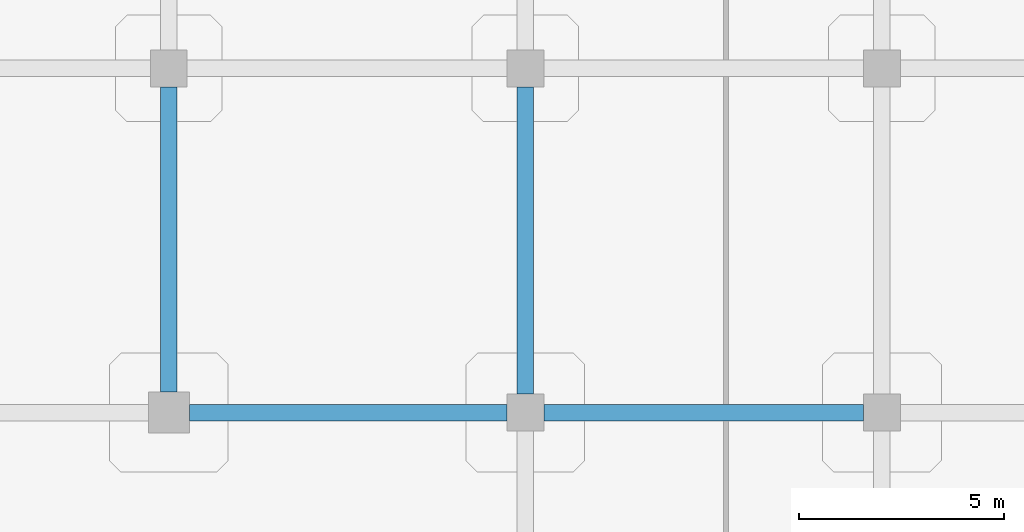
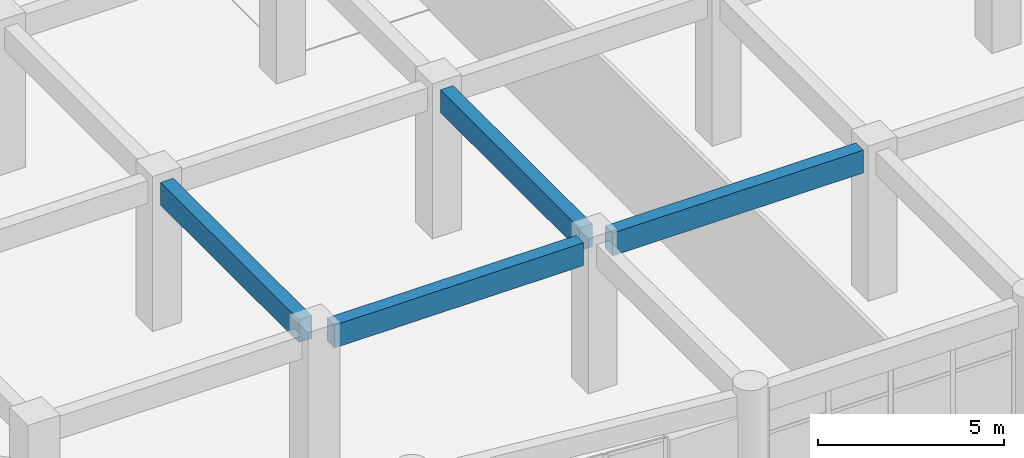
# One storey, part 7 of 120: 4 beams.
"""IFC4 building model written with IfcOpenShell, lengths in metres."""

from ifc_helpers import new_model, si_unit, derived_unit, direction, frame, origin, origin_2d, place, context, subcontext, project, spatial, rectangle, extrude, material, material_profile, profile_set, type_object, element, save


model = new_model("IFC4")

# Units and contexts
model_context = context("Model", 3, precision=1e-05, world=origin(), true_north=direction((0.0, 1.0)))
body_context = subcontext(model_context, "Body", "Model", "MODEL_VIEW")
ifc_project = project(units=[si_unit("LENGTHUNIT", "METRE"), si_unit("AREAUNIT", "SQUARE_METRE"), si_unit("VOLUMEUNIT", "CUBIC_METRE"), si_unit("PLANEANGLEUNIT", "RADIAN"), si_unit("MASSUNIT", "GRAM", prefix="KILO"), derived_unit("THERMALTRANSMITTANCEUNIT", [(si_unit("MASSUNIT", "GRAM", prefix="KILO"), 1), (si_unit("TIMEUNIT", "SECOND"), -3), (si_unit("THERMODYNAMICTEMPERATUREUNIT", "KELVIN"), -1)])], contexts=[model_context])

# Site, building, storey
site_placement = place(None, origin())
site = spatial("IfcSite", under=ifc_project, at=site_placement, CompositionType="ELEMENT")
building_placement = place(site_placement, origin())
building = spatial("IfcBuilding", under=site, at=building_placement, Name="Qinzheling Arcade Emporium", CompositionType="ELEMENT")
storey_placement = place(building_placement, frame((0.0, 0.0, 11.39990234375)))
storey = spatial("IfcBuildingStorey", under=building, at=storey_placement, Name="L03", CompositionType="ELEMENT", Elevation=11.39990234375)

# Beams
ifc_material = material(Name="Concrete C40", Category="concrete")
ifc_material_profile = material_profile(ifc_material, rectangle(XDim=0.39990234375, YDim=0.75, at=origin_2d()), Name="RC 400x750", Category="concrete")
ifc_profile_set = profile_set([ifc_material_profile], Name="Concrete C40")
beam_type = type_object("IfcBeamType", Name="RC Interior Tie Beam 400x750 C40", PredefinedType="BEAM", material=ifc_profile_set)
beam_1_placement = place(storey_placement, frame((17.89990234375, 8.39990234375, 4.445068359375), z_axis=(1.0, 0.0, 0.0), x_axis=(0.0, 1.0, 0.0)))
element("IfcBeam", 1, at=beam_1_placement, inside=storey, type_object=beam_type, Name="Beam BM-L03-X-B-3", PredefinedType="BEAM", context=body_context, shape_type="SweptSolid", body=[
    extrude(rectangle(XDim=0.39990234375, YDim=0.75, at=origin_2d()), origin(), (0.0, 0.0, 1.0), 7.75),
])
beam_2_placement = place(storey_placement, frame((26.550048828125, 8.39990234375, 4.445068359375), z_axis=(1.0, 0.0, 0.0), x_axis=(0.0, 1.0, 0.0)))
element("IfcBeam", 2, at=beam_2_placement, inside=storey, type_object=beam_type, Name="Beam BM-L03-X-B-4", PredefinedType="BEAM", context=body_context, shape_type="SweptSolid", body=[
    extrude(rectangle(XDim=0.39990234375, YDim=0.75, at=origin_2d()), origin(), (0.0, 0.0, 1.0), 7.800048828125),
])
beam_3_placement = place(storey_placement, frame((17.39990234375, 8.89990234375, 4.445068359375), z_axis=(0.0, 1.0, 0.0), x_axis=(-1.0, 0.0, 0.0)))
element("IfcBeam", 3, at=beam_3_placement, inside=storey, type_object=beam_type, Name="Beam BM-L03-Y-3-B", PredefinedType="BEAM", context=body_context, shape_type="SweptSolid", body=[
    extrude(rectangle(XDim=0.39990234375, YDim=0.75, at=origin_2d()), origin(), (0.0, 0.0, 1.0), 7.4501953125),
])
beam_4_placement = place(storey_placement, frame((26.10009765625, 8.85009765625, 4.445068359375), z_axis=(0.0, 1.0, 0.0), x_axis=(-1.0, 0.0, 0.0)))
element("IfcBeam", 4, at=beam_4_placement, inside=storey, type_object=beam_type, Name="Beam BM-L03-Y-4-B", PredefinedType="BEAM", context=body_context, shape_type="SweptSolid", body=[
    extrude(rectangle(XDim=0.39990234375, YDim=0.75, at=origin_2d()), origin(), (0.0, 0.0, 1.0), 7.5),
])

save(model, "model.ifc")
